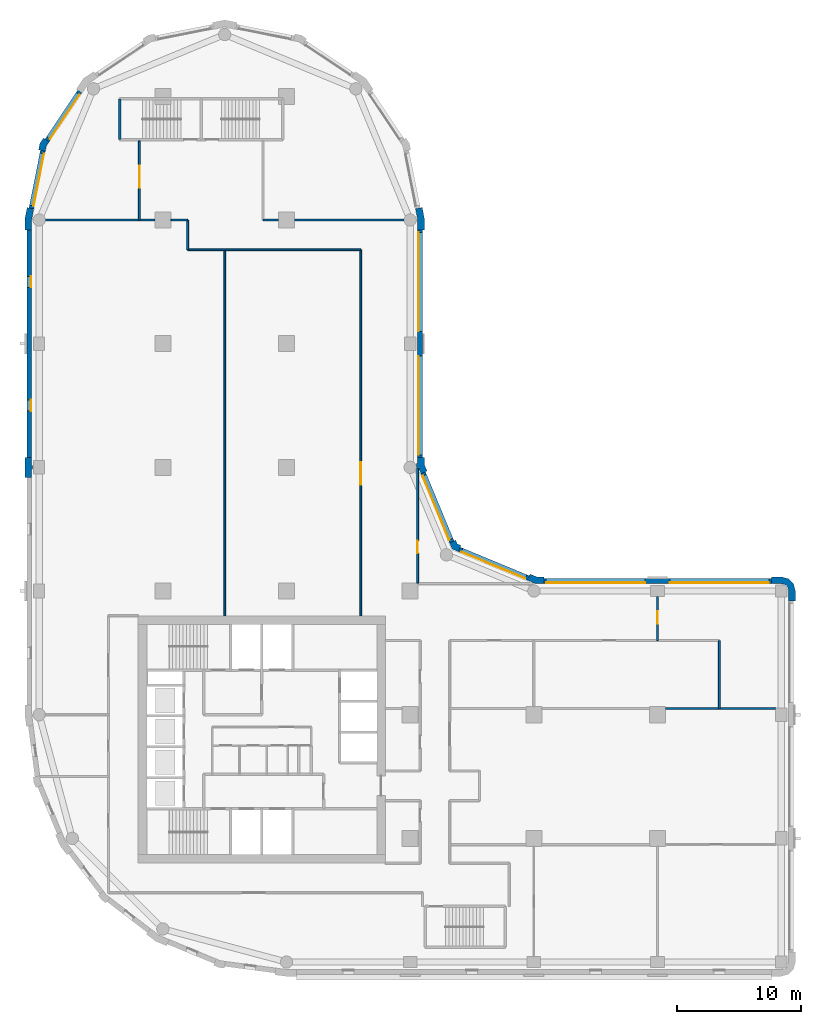
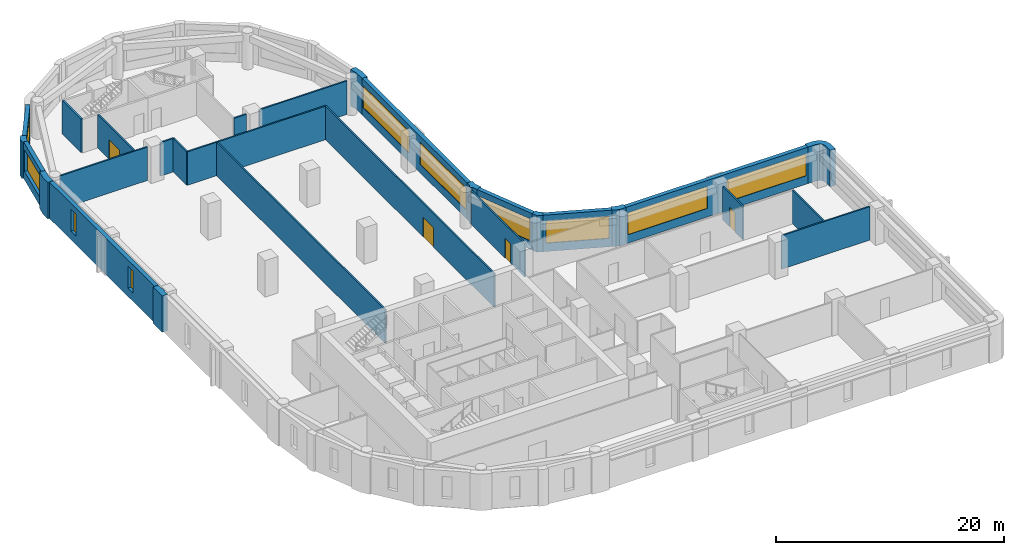
# One storey, part 5 of 9: 29 walls, 10 windows, 4 doors, 14 openings.
"""IFC4 building model written with IfcOpenShell, lengths in metres."""

from ifc_helpers import new_model, si_unit, direction, frame, frame_2d, origin, place, context, subcontext, project, spatial, polyline, rectangle, outline, extrude, material, layer, layer_set, type_object, element, fill, save


model = new_model("IFC4")

# Units and contexts
model_context = context("Model", 3, precision=1e-05, world=origin(), true_north=direction((0.0, 1.0)))
body_context = subcontext(model_context, "Body", "Model", "MODEL_VIEW")
ifc_project = project(units=[si_unit("LENGTHUNIT", "METRE"), si_unit("AREAUNIT", "SQUARE_METRE"), si_unit("VOLUMEUNIT", "CUBIC_METRE"), si_unit("PLANEANGLEUNIT", "RADIAN"), si_unit("MASSUNIT", "GRAM", prefix="KILO")], contexts=[model_context])

# Site, building, storey
site_placement = place(None, origin())
site = spatial("IfcSite", under=ifc_project, at=site_placement, CompositionType="ELEMENT")
building_placement = place(site_placement, origin())
building = spatial("IfcBuilding", under=site, at=building_placement, Name="Qaws Garden Tower", CompositionType="ELEMENT")
storey_placement = place(building_placement, frame((0.0, 0.0, 217.5)))
storey = spatial("IfcBuildingStorey", under=building, at=storey_placement, Name="L53", CompositionType="ELEMENT", Elevation=217.5)

# Wall
ifc_material_1 = material(Name="Clay facing brick masonry", Category="masonry")
ifc_layer_1 = layer(ifc_material_1, 0.550048828125)
ifc_layer_set_1 = layer_set([ifc_layer_1], Name="Clay facing brick masonry")
wall_type_1 = type_object("IfcWallType", Name="Brick corner pier 550 x 2400", PredefinedType="SOLIDWALL", material=ifc_layer_set_1)
placement = place(storey_placement, origin())
element("IfcWall", 1, at=placement, inside=storey, type_object=wall_type_1, Name="E-L53-pier-07", PredefinedType="SOLIDWALL", context=body_context, shape_type="SweptSolid", body=[
    extrude(outline(polyline([(61.0, 29.199951171875), (61.14990234375, 29.199951171875), (61.14990234375, 30.0), (60.995849609375, 30.574951171875), (60.574951171875, 30.995849609375), (60.0, 31.14990234375), (59.199951171875, 31.14990234375), (59.199951171875, 31.0), (59.199951171875, 30.60009765625), (60.0, 30.60009765625), (60.300048828125, 30.51953125), (60.51953125, 30.300048828125), (60.60009765625, 30.0), (60.60009765625, 29.199951171875), (61.0, 29.199951171875)])), origin(), (0.0, 0.0, 1.0), 3.89990234375),
])

# Wall, openings, windows
ifc_material_2 = material(Name="Clay facing brick masonry", Category="masonry")
ifc_layer_2 = layer(ifc_material_2, 0.39990234375)
ifc_layer_set_2 = layer_set([ifc_layer_2], Name="Clay facing brick masonry")
wall_type_2 = type_object("IfcWallType", Name="Brick infill wall 400", PredefinedType="SOLIDWALL", material=ifc_layer_set_2)
wall_2_placement = place(storey_placement, frame((59.199951171875, 30.800048828125, 0.0), z_axis=(0.0, 0.0, 1.0), x_axis=(-1.0, 0.0, 0.0)))
wall_2 = element("IfcWall", 2, at=wall_2_placement, inside=storey, type_object=wall_type_2, Name="E-L53-infill-07", PredefinedType="SOLIDWALL", context=body_context, shape_type="SweptSolid", body=[
    extrude(rectangle(XDim=18.39990234375, YDim=0.39990234375, at=frame_2d((9.199951171875, 0.0))), origin(), (0.0, 0.0, 1.0), 3.89990234375),
])
opening_1_placement = place(wall_2_placement, frame((0.199951171875, 0.0, 0.89990234375)))
opening_1 = element("IfcOpeningElement", 3, at=opening_1_placement, cuts=wall_2, Name="Opening W01", PredefinedType="OPENING", context=body_context, shape_type="SweptSolid", body=[
    extrude(rectangle(XDim=8.0, YDim=2.35009765625, at=frame_2d((4.0, 1.175048828125))), frame((0.0, 0.2099609375, 0.0), z_axis=(0.0, -1.0, 0.0), x_axis=(1.0, 0.0, 0.0)), (0.0, 0.0, 1.0), 0.419921875),
])
opening_2_placement = place(wall_2_placement, frame((10.199951171875, 0.0, 0.89990234375)))
opening_2 = element("IfcOpeningElement", 4, at=opening_2_placement, cuts=wall_2, Name="Opening W01", PredefinedType="OPENING", context=body_context, shape_type="SweptSolid", body=[
    extrude(rectangle(XDim=8.0, YDim=2.35009765625, at=frame_2d((4.0, 1.175048828125))), frame((0.0, 0.2099609375, 0.0), z_axis=(0.0, -1.0, 0.0), x_axis=(1.0, 0.0, 0.0)), (0.0, 0.0, 1.0), 0.419921875),
])
ifc_material_3 = material(Name="Aluminium framed window, clear glazing", Category="aluminium")
window_type_1 = type_object("IfcWindowType", Name="Ribbon window 8000 x 2350", PartitioningType="DOUBLE_PANEL_VERTICAL", PredefinedType="WINDOW", material=ifc_material_3)
window_1_placement = place(opening_1_placement, origin())
window_1 = element("IfcWindow", 5, at=window_1_placement, inside=storey, type_object=window_type_1, Name="E-L53-window-07-0", OverallHeight=2.35009765625, OverallWidth=8.0, PartitioningType="SINGLE_PANEL", PredefinedType="WINDOW", context=body_context, shape_type="SweptSolid", body=[
    extrude(rectangle(XDim=8.0, YDim=2.35009765625, at=frame_2d((4.0, 1.175048828125))), frame((0.0, 0.159912109375, 0.0), z_axis=(0.0, -1.0, 0.0), x_axis=(1.0, 0.0, 0.0)), (0.0, 0.0, 1.0), 0.06005859375),
])
fill(opening_1, window_1)
window_2_placement = place(opening_2_placement, origin())
window_2 = element("IfcWindow", 6, at=window_2_placement, inside=storey, type_object=window_type_1, Name="E-L53-window-08-0", OverallHeight=2.35009765625, OverallWidth=8.0, PartitioningType="SINGLE_PANEL", PredefinedType="WINDOW", context=body_context, shape_type="SweptSolid", body=[
    extrude(rectangle(XDim=8.0, YDim=2.35009765625, at=frame_2d((4.0, 1.175048828125))), frame((0.0, 0.159912109375, 0.0), z_axis=(0.0, -1.0, 0.0), x_axis=(1.0, 0.0, 0.0)), (0.0, 0.0, 1.0), 0.06005859375),
])
fill(opening_2, window_2)

# Wall, opening, window
wall_3_placement = place(storey_placement, frame((39.56689453125, 31.04541015625, 0.0), z_axis=(0.0, 0.0, 1.0), x_axis=(-0.923891000409, 0.382655745237, 0.0)))
wall_3 = element("IfcWall", 7, at=wall_3_placement, inside=storey, type_object=wall_type_2, Name="E-L53-infill-09", PredefinedType="SOLIDWALL", context=body_context, shape_type="SweptSolid", body=[
    extrude(rectangle(XDim=6.053466796875, YDim=0.39990234375, at=frame_2d((3.02685546875, 0.0))), origin(), (0.0, 0.0, 1.0), 3.89990234375),
])
opening_3_placement = place(wall_3_placement, frame((0.226806640625, 0.0, 0.89990234375)))
opening_3 = element("IfcOpeningElement", 8, at=opening_3_placement, cuts=wall_3, Name="Opening W04", PredefinedType="OPENING", context=body_context, shape_type="SweptSolid", body=[
    extrude(rectangle(XDim=5.60009765625, YDim=2.35009765625, at=frame_2d((2.800048828125, 1.175048828125))), frame((0.0, 0.2099609375, 0.0), z_axis=(0.0, -1.0, 0.0), x_axis=(1.0, 0.0, 0.0)), (0.0, 0.0, 1.0), 0.419921875),
])
ifc_material_4 = material(Name="Aluminium framed window, clear glazing", Category="aluminium")
window_type_2 = type_object("IfcWindowType", Name="Ribbon window 5600 x 2350", PartitioningType="DOUBLE_PANEL_VERTICAL", PredefinedType="WINDOW", material=ifc_material_4)
window_3_placement = place(opening_3_placement, origin())
window_3 = element("IfcWindow", 9, at=window_3_placement, inside=storey, type_object=window_type_2, Name="E-L53-window-09-0", OverallHeight=2.35009765625, OverallWidth=5.60009765625, PartitioningType="SINGLE_PANEL", PredefinedType="WINDOW", context=body_context, shape_type="SweptSolid", body=[
    extrude(rectangle(XDim=5.60009765625, YDim=2.35009765625, at=frame_2d((2.800048828125, 1.175048828125))), frame((0.0, 0.159912109375, 0.0), z_axis=(0.0, -1.0, 0.0), x_axis=(1.0, 0.0, 0.0)), (0.0, 0.0, 1.0), 0.06005859375),
])
fill(opening_3, window_3)

wall_4_placement = place(storey_placement, frame((33.36181640625, 33.97412109375, 0.0), z_axis=(0.0, 0.0, 1.0), x_axis=(-0.382655745237, 0.923891000409, 0.0)))
wall_4 = element("IfcWall", 10, at=wall_4_placement, inside=storey, type_object=wall_type_2, Name="E-L53-infill-10", PredefinedType="SOLIDWALL", context=body_context, shape_type="SweptSolid", body=[
    extrude(rectangle(XDim=6.053466796875, YDim=0.39990234375, at=frame_2d((3.02685546875, 0.0))), origin(), (0.0, 0.0, 1.0), 3.89990234375),
])
opening_4_placement = place(wall_4_placement, frame((0.226806640625, 0.0, 0.89990234375)))
opening_4 = element("IfcOpeningElement", 11, at=opening_4_placement, cuts=wall_4, Name="Opening W04", PredefinedType="OPENING", context=body_context, shape_type="SweptSolid", body=[
    extrude(rectangle(XDim=5.60009765625, YDim=2.35009765625, at=frame_2d((2.800048828125, 1.175048828125))), frame((0.0, 0.2099609375, 0.0), z_axis=(0.0, -1.0, 0.0), x_axis=(1.0, 0.0, 0.0)), (0.0, 0.0, 1.0), 0.419921875),
])
window_4_placement = place(opening_4_placement, origin())
window_4 = element("IfcWindow", 12, at=window_4_placement, inside=storey, type_object=window_type_2, Name="E-L53-window-10-0", OverallHeight=2.35009765625, OverallWidth=5.60009765625, PartitioningType="SINGLE_PANEL", PredefinedType="WINDOW", context=body_context, shape_type="SweptSolid", body=[
    extrude(rectangle(XDim=5.60009765625, YDim=2.35009765625, at=frame_2d((2.800048828125, 1.175048828125))), frame((0.0, 0.159912109375, 0.0), z_axis=(0.0, -1.0, 0.0), x_axis=(1.0, 0.0, 0.0)), (0.0, 0.0, 1.0), 0.06005859375),
])
fill(opening_4, window_4)

# Wall, openings, windows
wall_5_placement = place(storey_placement, frame((30.800048828125, 40.800048828125, 0.0), z_axis=(0.0, 0.0, 1.0), x_axis=(0.0, 1.0, 0.0)))
wall_5 = element("IfcWall", 13, at=wall_5_placement, inside=storey, type_object=wall_type_2, Name="E-L53-infill-11", PredefinedType="SOLIDWALL", context=body_context, shape_type="SweptSolid", body=[
    extrude(rectangle(XDim=18.39990234375, YDim=0.39990234375, at=frame_2d((9.199951171875, 0.0))), origin(), (0.0, 0.0, 1.0), 3.89990234375),
])
opening_5_placement = place(wall_5_placement, frame((0.199951171875, 0.0, 0.89990234375)))
opening_5 = element("IfcOpeningElement", 14, at=opening_5_placement, cuts=wall_5, Name="Opening W01", PredefinedType="OPENING", context=body_context, shape_type="SweptSolid", body=[
    extrude(rectangle(XDim=8.0, YDim=2.35009765625, at=frame_2d((4.0, 1.175048828125))), frame((0.0, 0.2099609375, 0.0), z_axis=(0.0, -1.0, 0.0), x_axis=(1.0, 0.0, 0.0)), (0.0, 0.0, 1.0), 0.419921875),
])
opening_6_placement = place(wall_5_placement, frame((10.199951171875, 0.0, 0.89990234375)))
opening_6 = element("IfcOpeningElement", 15, at=opening_6_placement, cuts=wall_5, Name="Opening W01", PredefinedType="OPENING", context=body_context, shape_type="SweptSolid", body=[
    extrude(rectangle(XDim=8.0, YDim=2.35009765625, at=frame_2d((4.0, 1.175048828125))), frame((0.0, 0.2099609375, 0.0), z_axis=(0.0, -1.0, 0.0), x_axis=(1.0, 0.0, 0.0)), (0.0, 0.0, 1.0), 0.419921875),
])
window_5_placement = place(opening_5_placement, origin())
window_5 = element("IfcWindow", 16, at=window_5_placement, inside=storey, type_object=window_type_1, Name="E-L53-window-11-0", OverallHeight=2.35009765625, OverallWidth=8.0, PartitioningType="SINGLE_PANEL", PredefinedType="WINDOW", context=body_context, shape_type="SweptSolid", body=[
    extrude(rectangle(XDim=8.0, YDim=2.35009765625, at=frame_2d((4.0, 1.175048828125))), frame((0.0, 0.159912109375, 0.0), z_axis=(0.0, -1.0, 0.0), x_axis=(1.0, 0.0, 0.0)), (0.0, 0.0, 1.0), 0.06005859375),
])
fill(opening_5, window_5)
window_6_placement = place(opening_6_placement, origin())
window_6 = element("IfcWindow", 17, at=window_6_placement, inside=storey, type_object=window_type_1, Name="E-L53-window-12-0", OverallHeight=2.35009765625, OverallWidth=8.0, PartitioningType="SINGLE_PANEL", PredefinedType="WINDOW", context=body_context, shape_type="SweptSolid", body=[
    extrude(rectangle(XDim=8.0, YDim=2.35009765625, at=frame_2d((4.0, 1.175048828125))), frame((0.0, 0.159912109375, 0.0), z_axis=(0.0, -1.0, 0.0), x_axis=(1.0, 0.0, 0.0)), (0.0, 0.0, 1.0), 0.06005859375),
])
fill(opening_6, window_6)

# Wall, opening, window
wall_6_placement = place(storey_placement, frame((3.28369140625, 70.385986328125, 0.0), z_axis=(0.0, 0.0, 1.0), x_axis=(-0.555541552266, -0.831488775454, 0.0)))
wall_6 = element("IfcWall", 18, at=wall_6_placement, inside=storey, type_object=wall_type_2, Name="E-L53-infill-19", PredefinedType="SOLIDWALL", context=body_context, shape_type="SweptSolid", body=[
    extrude(rectangle(XDim=4.752685546875, YDim=0.39990234375, at=frame_2d((2.37646484375, 0.0))), origin(), (0.0, 0.0, 1.0), 3.89990234375),
])
opening_7_placement = place(wall_6_placement, frame((0.226318359375, 0.0, 0.89990234375)))
opening_7 = element("IfcOpeningElement", 19, at=opening_7_placement, cuts=wall_6, Name="Opening W06", PredefinedType="OPENING", context=body_context, shape_type="SweptSolid", body=[
    extrude(rectangle(XDim=4.300048828125, YDim=2.35009765625, at=frame_2d((2.14990234375, 1.175048828125))), frame((0.0, 0.2099609375, 0.0), z_axis=(0.0, -1.0, 0.0), x_axis=(1.0, 0.0, 0.0)), (0.0, 0.0, 1.0), 0.419921875),
])
ifc_material_5 = material(Name="Aluminium framed window, clear glazing", Category="aluminium")
window_type_3 = type_object("IfcWindowType", Name="Ribbon window 4300 x 2350", PartitioningType="DOUBLE_PANEL_VERTICAL", PredefinedType="WINDOW", material=ifc_material_5)
window_7_placement = place(opening_7_placement, origin())
window_7 = element("IfcWindow", 20, at=window_7_placement, inside=storey, type_object=window_type_3, Name="E-L53-window-19-0", OverallHeight=2.35009765625, OverallWidth=4.300048828125, PartitioningType="SINGLE_PANEL", PredefinedType="WINDOW", context=body_context, shape_type="SweptSolid", body=[
    extrude(rectangle(XDim=4.300048828125, YDim=2.35009765625, at=frame_2d((2.14990234375, 1.175048828125))), frame((0.0, 0.159912109375, 0.0), z_axis=(0.0, -1.0, 0.0), x_axis=(1.0, 0.0, 0.0)), (0.0, 0.0, 1.0), 0.06005859375),
])
fill(opening_7, window_7)

wall_7_placement = place(storey_placement, frame((0.298583984375, 65.60205078125, 0.0), z_axis=(0.0, 0.0, 1.0), x_axis=(-0.195098533057, -0.98078364709, 0.0)))
wall_7 = element("IfcWall", 21, at=wall_7_placement, inside=storey, type_object=wall_type_2, Name="E-L53-infill-20", PredefinedType="SOLIDWALL", context=body_context, shape_type="SweptSolid", body=[
    extrude(rectangle(XDim=4.752685546875, YDim=0.39990234375, at=frame_2d((2.37646484375, 0.0))), origin(), (0.0, 0.0, 1.0), 3.89990234375),
])
opening_8_placement = place(wall_7_placement, frame((0.226318359375, 0.0, 0.89990234375)))
opening_8 = element("IfcOpeningElement", 22, at=opening_8_placement, cuts=wall_7, Name="Opening W06", PredefinedType="OPENING", context=body_context, shape_type="SweptSolid", body=[
    extrude(rectangle(XDim=4.300048828125, YDim=2.35009765625, at=frame_2d((2.14990234375, 1.175048828125))), frame((0.0, 0.2099609375, 0.0), z_axis=(0.0, -1.0, 0.0), x_axis=(1.0, 0.0, 0.0)), (0.0, 0.0, 1.0), 0.419921875),
])
window_8_placement = place(opening_8_placement, origin())
window_8 = element("IfcWindow", 23, at=window_8_placement, inside=storey, type_object=window_type_3, Name="E-L53-window-20-0", OverallHeight=2.35009765625, OverallWidth=4.300048828125, PartitioningType="SINGLE_PANEL", PredefinedType="WINDOW", context=body_context, shape_type="SweptSolid", body=[
    extrude(rectangle(XDim=4.300048828125, YDim=2.35009765625, at=frame_2d((2.14990234375, 1.175048828125))), frame((0.0, 0.159912109375, 0.0), z_axis=(0.0, -1.0, 0.0), x_axis=(1.0, 0.0, 0.0)), (0.0, 0.0, 1.0), 0.06005859375),
])
fill(opening_8, window_8)

# Wall, openings, windows
wall_8_placement = place(storey_placement, frame((-0.800048828125, 59.199951171875, 0.0), z_axis=(0.0, 0.0, 1.0), x_axis=(0.0, -1.0, 0.0)))
wall_8 = element("IfcWall", 24, at=wall_8_placement, inside=storey, type_object=wall_type_2, Name="E-L53-infill-21", PredefinedType="SOLIDWALL", context=body_context, shape_type="SweptSolid", body=[
    extrude(rectangle(XDim=18.39990234375, YDim=0.39990234375, at=frame_2d((9.199951171875, 0.0))), origin(), (0.0, 0.0, 1.0), 3.89990234375),
])
opening_9_placement = place(wall_8_placement, frame((3.75, 0.0, 0.89990234375)))
opening_9 = element("IfcOpeningElement", 25, at=opening_9_placement, cuts=wall_8, Name="Opening W09", PredefinedType="OPENING", context=body_context, shape_type="SweptSolid", body=[
    extrude(rectangle(XDim=0.89990234375, YDim=2.35009765625, at=frame_2d((0.449951171875, 1.175048828125))), frame((0.0, 0.2099609375, 0.0), z_axis=(0.0, -1.0, 0.0), x_axis=(1.0, 0.0, 0.0)), (0.0, 0.0, 1.0), 0.419921875),
])
opening_10_placement = place(wall_8_placement, frame((13.75, 0.0, 0.89990234375)))
opening_10 = element("IfcOpeningElement", 26, at=opening_10_placement, cuts=wall_8, Name="Opening W09", PredefinedType="OPENING", context=body_context, shape_type="SweptSolid", body=[
    extrude(rectangle(XDim=0.89990234375, YDim=2.35009765625, at=frame_2d((0.449951171875, 1.175048828125))), frame((0.0, 0.2099609375, 0.0), z_axis=(0.0, -1.0, 0.0), x_axis=(1.0, 0.0, 0.0)), (0.0, 0.0, 1.0), 0.419921875),
])
ifc_material_6 = material(Name="Aluminium framed window, clear glazing", Category="aluminium")
window_type_4 = type_object("IfcWindowType", Name="Slit window 900 x 2350", PartitioningType="SINGLE_PANEL", PredefinedType="WINDOW", material=ifc_material_6)
window_9_placement = place(opening_9_placement, origin())
window_9 = element("IfcWindow", 27, at=window_9_placement, inside=storey, type_object=window_type_4, Name="E-L53-window-21-0", OverallHeight=2.35009765625, OverallWidth=0.89990234375, PartitioningType="SINGLE_PANEL", PredefinedType="WINDOW", context=body_context, shape_type="SweptSolid", body=[
    extrude(rectangle(XDim=0.89990234375, YDim=2.35009765625, at=frame_2d((0.449951171875, 1.175048828125))), frame((0.0, 0.159912109375, 0.0), z_axis=(0.0, -1.0, 0.0), x_axis=(1.0, 0.0, 0.0)), (0.0, 0.0, 1.0), 0.06005859375),
])
fill(opening_9, window_9)
window_10_placement = place(opening_10_placement, origin())
window_10 = element("IfcWindow", 28, at=window_10_placement, inside=storey, type_object=window_type_4, Name="E-L53-window-22-0", OverallHeight=2.35009765625, OverallWidth=0.89990234375, PartitioningType="SINGLE_PANEL", PredefinedType="WINDOW", context=body_context, shape_type="SweptSolid", body=[
    extrude(rectangle(XDim=0.89990234375, YDim=2.35009765625, at=frame_2d((0.449951171875, 1.175048828125))), frame((0.0, 0.159912109375, 0.0), z_axis=(0.0, -1.0, 0.0), x_axis=(1.0, 0.0, 0.0)), (0.0, 0.0, 1.0), 0.06005859375),
])
fill(opening_10, window_10)

# Walls
ifc_material_7 = material(Name="Clay facing brick masonry", Category="masonry")
ifc_layer_3 = layer(ifc_material_7, 0.550048828125)
ifc_layer_set_3 = layer_set([ifc_layer_3], Name="Clay facing brick masonry")
wall_type_3 = type_object("IfcWallType", Name="Brick kink pier 550 x 600", PredefinedType="SOLIDWALL", material=ifc_layer_set_3)
element("IfcWall", 29, at=placement, inside=storey, type_object=wall_type_3, Name="E-L53-pier-20", PredefinedType="SOLIDWALL", context=body_context, shape_type="SweptSolid", body=[
    extrude(outline(polyline([(0.47705078125, 66.545166015625), (0.352294921875, 66.628662109375), (0.05859375, 66.18896484375), (-0.044677734375, 65.67041015625), (0.1025390625, 65.64111328125), (0.494873046875, 65.56298828125), (0.57666015625, 65.974365234375), (0.8095703125, 66.322998046875), (0.47705078125, 66.545166015625)])), origin(), (0.0, 0.0, 1.0), 3.89990234375),
])
ifc_material_8 = material(Name="Clay facing brick masonry", Category="masonry")
ifc_layer_4 = layer(ifc_material_8, 0.550048828125)
ifc_layer_set_4 = layer_set([ifc_layer_4], Name="Clay facing brick masonry")
wall_type_4 = type_object("IfcWallType", Name="Brick pier 550 x 1600", PredefinedType="SOLIDWALL", material=ifc_layer_set_4)
element("IfcWall", 30, at=placement, inside=storey, type_object=wall_type_4, Name="E-L53-pier-09", PredefinedType="SOLIDWALL", context=body_context, shape_type="SweptSolid", body=[
    extrude(outline(polyline([(40.800048828125, 31.0), (40.800048828125, 31.14990234375), (40.228759765625, 31.14990234375), (39.700927734375, 31.36865234375), (39.6435546875, 31.22998046875), (39.490478515625, 30.860595703125), (40.119384765625, 30.60009765625), (40.800048828125, 30.60009765625), (40.800048828125, 31.0)])), origin(), (0.0, 0.0, 1.0), 3.89990234375),
])
element("IfcWall", 31, at=placement, inside=storey, type_object=wall_type_4, Name="E-L53-pier-10", PredefinedType="SOLIDWALL", context=body_context, shape_type="SweptSolid", body=[
    extrude(outline(polyline([(34.05078125, 33.546630859375), (34.108154296875, 33.685302734375), (33.80908203125, 33.80908203125), (33.685302734375, 34.108154296875), (33.546630859375, 34.05078125), (33.177001953125, 33.897705078125), (33.38818359375, 33.38818359375), (33.897705078125, 33.177001953125), (34.05078125, 33.546630859375)])), origin(), (0.0, 0.0, 1.0), 3.89990234375),
])
element("IfcWall", 32, at=placement, inside=storey, type_object=wall_type_4, Name="E-L53-pier-11", PredefinedType="SOLIDWALL", context=body_context, shape_type="SweptSolid", body=[
    extrude(outline(polyline([(30.6201171875, 39.995361328125), (30.6201171875, 40.071044921875), (30.860595703125, 39.490478515625), (31.22998046875, 39.6435546875), (31.36865234375, 39.700927734375), (31.14990234375, 40.228759765625), (31.14990234375, 40.800048828125), (31.0, 40.800048828125), (30.60009765625, 40.800048828125), (30.60009765625, 40.29541015625), (30.5, 40.29541015625), (30.5, 39.995361328125), (30.6201171875, 39.995361328125)])), origin(), (0.0, 0.0, 1.0), 3.89990234375),
])
element("IfcWall", 33, at=placement, inside=storey, type_object=wall_type_4, Name="E-L53-pier-13", PredefinedType="SOLIDWALL", context=body_context, shape_type="SweptSolid", body=[
    extrude(outline(polyline([(31.0, 59.199951171875), (31.14990234375, 59.199951171875), (31.14990234375, 60.11328125), (30.971923828125, 61.009033203125), (30.82470703125, 60.979736328125), (30.432373046875, 60.901611328125), (30.60009765625, 60.05908203125), (30.60009765625, 59.199951171875), (31.0, 59.199951171875)])), origin(), (0.0, 0.0, 1.0), 3.89990234375),
])
element("IfcWall", 34, at=placement, inside=storey, type_object=wall_type_4, Name="E-L53-pier-21", PredefinedType="SOLIDWALL", context=body_context, shape_type="SweptSolid", body=[
    extrude(outline(polyline([(-0.82470703125, 60.979736328125), (-0.971923828125, 61.009033203125), (-1.14990234375, 60.11328125), (-1.14990234375, 59.199951171875), (-1.0, 59.199951171875), (-0.60009765625, 59.199951171875), (-0.60009765625, 60.05908203125), (-0.432373046875, 60.901611328125), (-0.82470703125, 60.979736328125)])), origin(), (0.0, 0.0, 1.0), 3.89990234375),
])
element("IfcWall", 35, at=placement, inside=storey, type_object=wall_type_4, Name="E-L53-pier-23", PredefinedType="SOLIDWALL", context=body_context, shape_type="SweptSolid", body=[
    extrude(outline(polyline([(-0.60009765625, 39.199951171875), (-0.60009765625, 39.85009765625), (-0.550048828125, 39.85009765625), (-0.550048828125, 40.14990234375), (-0.60009765625, 40.14990234375), (-0.60009765625, 40.800048828125), (-1.0, 40.800048828125), (-1.14990234375, 40.800048828125), (-1.14990234375, 40.0), (-1.14990234375, 39.199951171875), (-1.0, 39.199951171875), (-0.60009765625, 39.199951171875)])), origin(), (0.0, 0.0, 1.0), 3.89990234375),
])
ifc_material_9 = material(Name="Concrete C70", Category="concrete")
ifc_layer_5 = layer(ifc_material_9, 0.199951171875)
ifc_layer_set_5 = layer_set([ifc_layer_5], Name="Concrete C70")
wall_type_5 = type_object("IfcWallType", Name="Core shaft wall 200 C70", PredefinedType="SHEAR", material=ifc_layer_set_5)
wall_16_placement = place(storey_placement, frame((6.5, 66.5, 0.0), z_axis=(0.0, 0.0, 1.0), x_axis=(0.0, 1.0, 0.0)))
element("IfcWall", 36, at=wall_16_placement, inside=storey, type_object=wall_type_5, Name="Shaft wall", PredefinedType="SHEAR", context=body_context, shape_type="SweptSolid", body=[
    extrude(rectangle(XDim=3.300048828125, YDim=0.199951171875, at=frame_2d((1.64990234375, 0.0))), origin(), (0.0, 0.0, 1.0), 3.580078125),
])

# Wall, opening, door
ifc_material_10 = material(Name="Gypsum board partition")
ifc_layer_6 = layer(ifc_material_10, 0.14990234375)
ifc_layer_set_6 = layer_set([ifc_layer_6], Name="Gypsum board partition")
wall_type_6 = type_object("IfcWallType", Name="PARTITION 150 EI 60", PredefinedType="PARTITIONING", material=ifc_layer_set_6)
wall_17_placement = place(storey_placement, frame((8.10009765625, 60.0, 0.0), z_axis=(0.0, 0.0, 1.0), x_axis=(0.0, 1.0, 0.0)))
wall_17 = element("IfcWall", 37, at=wall_17_placement, inside=storey, type_object=wall_type_6, Name="O-L53-wall-004", PredefinedType="PARTITIONING", context=body_context, shape_type="SweptSolid", body=[
    extrude(rectangle(XDim=6.39990234375, YDim=0.14990234375, at=frame_2d((3.199951171875, 0.0))), origin(), (0.0, 0.0, 1.0), 3.580078125),
])
opening_11_placement = place(wall_17_placement, frame((2.60009765625, 0.0, 0.0)))
opening_11 = element("IfcOpeningElement", 38, at=opening_11_placement, cuts=wall_17, Name="Opening B805", PredefinedType="OPENING", context=body_context, shape_type="SweptSolid", body=[
    extrude(rectangle(XDim=1.800048828125, YDim=2.10009765625, at=frame_2d((0.89990234375, 1.050048828125))), frame((0.0, 0.0849609375, 0.0), z_axis=(0.0, -1.0, 0.0), x_axis=(1.0, 0.0, 0.0)), (0.0, 0.0, 1.0), 0.169921875),
])
ifc_material_11 = material(Name="Timber door leaf", Category="wood")
door_type_1 = type_object("IfcDoorType", Name="DOUBLE DOOR 1800 X 2100", OperationType="DOUBLE_DOOR_SINGLE_SWING", PredefinedType="DOOR", material=ifc_material_11)
door_1_placement = place(opening_11_placement, origin())
door_1 = element("IfcDoor", 39, at=door_1_placement, inside=storey, type_object=door_type_1, Name="O-L53-door-005", OperationType="DOUBLE_DOOR_SINGLE_SWING", OverallHeight=2.10009765625, OverallWidth=1.800048828125, PredefinedType="DOOR", context=body_context, shape_type="SweptSolid", body=[
    extrude(rectangle(XDim=1.800048828125, YDim=2.10009765625, at=frame_2d((0.89990234375, 1.050048828125))), frame((0.0, 0.02490234375, 0.0), z_axis=(0.0, -1.0, 0.0), x_axis=(1.0, 0.0, 0.0)), (0.0, 0.0, 1.0), 0.050048828125),
])
fill(opening_11, door_1)

# Walls
wall_18_placement = place(storey_placement, frame((12.0, 57.60009765625, 0.0), z_axis=(0.0, 0.0, 1.0), x_axis=(0.0, 1.0, 0.0)))
element("IfcWall", 40, at=wall_18_placement, inside=storey, type_object=wall_type_6, Name="O-L53-wall-005", PredefinedType="PARTITIONING", context=body_context, shape_type="SweptSolid", body=[
    extrude(rectangle(XDim=2.39990234375, YDim=0.14990234375, at=frame_2d((1.199951171875, 0.0))), origin(), (0.0, 0.0, 1.0), 3.580078125),
])
wall_19_placement = place(storey_placement, frame((15.0, 28.0, 0.0), z_axis=(0.0, 0.0, 1.0), x_axis=(0.0, 1.0, 0.0)))
element("IfcWall", 41, at=wall_19_placement, inside=storey, type_object=wall_type_6, Name="O-L53-wall-006", PredefinedType="PARTITIONING", context=body_context, shape_type="SweptSolid", body=[
    extrude(rectangle(XDim=29.60009765625, YDim=0.14990234375, at=frame_2d((14.800048828125, 0.0))), origin(), (0.0, 0.0, 1.0), 3.580078125),
])

# Wall, opening, door
wall_20_placement = place(storey_placement, frame((26.0, 28.0, 0.0), z_axis=(0.0, 0.0, 1.0), x_axis=(0.0, 1.0, 0.0)))
wall_20 = element("IfcWall", 42, at=wall_20_placement, inside=storey, type_object=wall_type_6, Name="O-L53-wall-008", PredefinedType="PARTITIONING", context=body_context, shape_type="SweptSolid", body=[
    extrude(rectangle(XDim=29.60009765625, YDim=0.14990234375, at=frame_2d((14.800048828125, 0.0))), origin(), (0.0, 0.0, 1.0), 3.580078125),
])
opening_12_placement = place(wall_20_placement, frame((10.60009765625, 0.0, 0.0)))
opening_12 = element("IfcOpeningElement", 43, at=opening_12_placement, cuts=wall_20, Name="Opening B803", PredefinedType="OPENING", context=body_context, shape_type="SweptSolid", body=[
    extrude(rectangle(XDim=1.800048828125, YDim=2.10009765625, at=frame_2d((0.89990234375, 1.050048828125))), frame((0.0, 0.0849609375, 0.0), z_axis=(0.0, -1.0, 0.0), x_axis=(1.0, 0.0, 0.0)), (0.0, 0.0, 1.0), 0.169921875),
])
door_2_placement = place(opening_12_placement, origin())
door_2 = element("IfcDoor", 44, at=door_2_placement, inside=storey, type_object=door_type_1, Name="O-L53-door-003", OperationType="DOUBLE_DOOR_SINGLE_SWING", OverallHeight=2.10009765625, OverallWidth=1.800048828125, PredefinedType="DOOR", context=body_context, shape_type="SweptSolid", body=[
    extrude(rectangle(XDim=1.800048828125, YDim=2.10009765625, at=frame_2d((0.89990234375, 1.050048828125))), frame((0.0, 0.02490234375, 0.0), z_axis=(0.0, -1.0, 0.0), x_axis=(1.0, 0.0, 0.0)), (0.0, 0.0, 1.0), 0.050048828125),
])
fill(opening_12, door_2)

wall_21_placement = place(storey_placement, frame((30.60009765625, 30.64990234375, 0.0), z_axis=(0.0, 0.0, 1.0), x_axis=(0.0, 1.0, 0.0)))
wall_21 = element("IfcWall", 45, at=wall_21_placement, inside=storey, type_object=wall_type_6, Name="O-L53-wall-009", PredefinedType="PARTITIONING", context=body_context, shape_type="SweptSolid", body=[
    extrude(rectangle(XDim=9.288330078125, YDim=0.14990234375, at=frame_2d((4.64404296875, 0.0))), origin(), (0.0, 0.0, 1.0), 3.580078125),
])
opening_13_placement = place(wall_21_placement, frame((2.39990234375, 0.0, 0.0)))
opening_13 = element("IfcOpeningElement", 46, at=opening_13_placement, cuts=wall_21, Name="Opening B807", PredefinedType="OPENING", context=body_context, shape_type="SweptSolid", body=[
    extrude(rectangle(XDim=1.0, YDim=2.10009765625, at=frame_2d((0.5, 1.050048828125))), frame((0.0, 0.0849609375, 0.0), z_axis=(0.0, -1.0, 0.0), x_axis=(1.0, 0.0, 0.0)), (0.0, 0.0, 1.0), 0.169921875),
])
ifc_material_12 = material(Name="Timber door leaf", Category="wood")
door_type_2 = type_object("IfcDoorType", Name="TENANCY ENTRANCE DOOR 1000 X 2100", OperationType="SINGLE_SWING_LEFT", PredefinedType="DOOR", material=ifc_material_12)
door_3_placement = place(opening_13_placement, frame((1.0, 0.0, 0.0), z_axis=(0.0, 0.0, 1.0), x_axis=(-1.0, 0.0, 0.0)))
door_3 = element("IfcDoor", 47, at=door_3_placement, inside=storey, type_object=door_type_2, Name="O-L53-door-007", OperationType="SINGLE_SWING_LEFT", OverallHeight=2.10009765625, OverallWidth=1.0, PredefinedType="DOOR", context=body_context, shape_type="SweptSolid", body=[
    extrude(rectangle(XDim=1.0, YDim=2.10009765625, at=frame_2d((0.5, 1.050048828125))), frame((0.0, 0.02490234375, 0.0), z_axis=(0.0, -1.0, 0.0), x_axis=(1.0, 0.0, 0.0)), (0.0, 0.0, 1.0), 0.050048828125),
])
fill(opening_13, door_3)

wall_22_placement = place(storey_placement, frame((50.0, 26.0, 0.0), z_axis=(0.0, 0.0, 1.0), x_axis=(0.0, 1.0, 0.0)))
wall_22 = element("IfcWall", 48, at=wall_22_placement, inside=storey, type_object=wall_type_6, Name="O-L53-wall-019", PredefinedType="PARTITIONING", context=body_context, shape_type="SweptSolid", body=[
    extrude(rectangle(XDim=3.550048828125, YDim=0.14990234375, at=frame_2d((1.77490234375, 0.0))), origin(), (0.0, 0.0, 1.0), 3.580078125),
])
opening_14_placement = place(wall_22_placement, frame((1.35009765625, 0.0, 0.0)))
opening_14 = element("IfcOpeningElement", 49, at=opening_14_placement, cuts=wall_22, Name="Opening B806", PredefinedType="OPENING", context=body_context, shape_type="SweptSolid", body=[
    extrude(rectangle(XDim=1.0, YDim=2.10009765625, at=frame_2d((0.5, 1.050048828125))), frame((0.0, 0.0849609375, 0.0), z_axis=(0.0, -1.0, 0.0), x_axis=(1.0, 0.0, 0.0)), (0.0, 0.0, 1.0), 0.169921875),
])
door_4_placement = place(opening_14_placement, frame((1.0, 0.0, 0.0), z_axis=(0.0, 0.0, 1.0), x_axis=(-1.0, 0.0, 0.0)))
door_4 = element("IfcDoor", 50, at=door_4_placement, inside=storey, type_object=door_type_2, Name="O-L53-door-006", OperationType="SINGLE_SWING_LEFT", OverallHeight=2.10009765625, OverallWidth=1.0, PredefinedType="DOOR", context=body_context, shape_type="SweptSolid", body=[
    extrude(rectangle(XDim=1.0, YDim=2.10009765625, at=frame_2d((0.5, 1.050048828125))), frame((0.0, 0.02490234375, 0.0), z_axis=(0.0, -1.0, 0.0), x_axis=(1.0, 0.0, 0.0)), (0.0, 0.0, 1.0), 0.050048828125),
])
fill(opening_14, door_4)

# Walls
wall_23_placement = place(storey_placement, frame((55.0, 20.5, 0.0), z_axis=(0.0, 0.0, 1.0), x_axis=(0.0, 1.0, 0.0)))
element("IfcWall", 51, at=wall_23_placement, inside=storey, type_object=wall_type_6, Name="O-L53-wall-020", PredefinedType="PARTITIONING", context=body_context, shape_type="SweptSolid", body=[
    extrude(rectangle(XDim=5.5, YDim=0.14990234375, at=frame_2d((2.75, 0.0))), origin(), (0.0, 0.0, 1.0), 3.580078125),
])
wall_24_placement = place(storey_placement, frame((50.64990234375, 20.5, 0.0), z_axis=(0.0, 0.0, 1.0), x_axis=(1.0, 0.0, 0.0)))
element("IfcWall", 52, at=wall_24_placement, inside=storey, type_object=wall_type_6, Name="O-L53-wall-035", PredefinedType="PARTITIONING", context=body_context, shape_type="SweptSolid", body=[
    extrude(rectangle(XDim=8.900146484375, YDim=0.14990234375, at=frame_2d((4.4501953125, 0.0))), origin(), (0.0, 0.0, 1.0), 3.580078125),
])
wall_25_placement = place(storey_placement, frame((12.0, 57.60009765625, 0.0), z_axis=(0.0, 0.0, 1.0), x_axis=(1.0, 0.0, 0.0)))
element("IfcWall", 53, at=wall_25_placement, inside=storey, type_object=wall_type_6, Name="O-L53-wall-040", PredefinedType="PARTITIONING", context=body_context, shape_type="SweptSolid", body=[
    extrude(rectangle(XDim=14.0, YDim=0.14990234375, at=frame_2d((7.0, 0.0))), origin(), (0.0, 0.0, 1.0), 3.580078125),
])
wall_26_placement = place(storey_placement, frame((0.5, 60.0, 0.0), z_axis=(0.0, 0.0, 1.0), x_axis=(1.0, 0.0, 0.0)))
element("IfcWall", 54, at=wall_26_placement, inside=storey, type_object=wall_type_6, Name="O-L53-wall-041", PredefinedType="PARTITIONING", context=body_context, shape_type="SweptSolid", body=[
    extrude(rectangle(XDim=8.85009765625, YDim=0.14990234375, at=frame_2d((4.425048828125, 0.0))), origin(), (0.0, 0.0, 1.0), 3.580078125),
])
wall_27_placement = place(storey_placement, frame((10.64990234375, 60.0, 0.0), z_axis=(0.0, 0.0, 1.0), x_axis=(1.0, 0.0, 0.0)))
element("IfcWall", 55, at=wall_27_placement, inside=storey, type_object=wall_type_6, Name="O-L53-wall-042", PredefinedType="PARTITIONING", context=body_context, shape_type="SweptSolid", body=[
    extrude(rectangle(XDim=1.35009765625, YDim=0.14990234375, at=frame_2d((0.675048828125, 0.0))), origin(), (0.0, 0.0, 1.0), 3.580078125),
])
wall_28_placement = place(storey_placement, frame((18.10009765625, 60.0, 0.0), z_axis=(0.0, 0.0, 1.0), x_axis=(1.0, 0.0, 0.0)))
element("IfcWall", 56, at=wall_28_placement, inside=storey, type_object=wall_type_6, Name="O-L53-wall-043", PredefinedType="PARTITIONING", context=body_context, shape_type="SweptSolid", body=[
    extrude(rectangle(XDim=1.25, YDim=0.14990234375, at=frame_2d((0.625, 0.0))), origin(), (0.0, 0.0, 1.0), 3.580078125),
])
wall_29_placement = place(storey_placement, frame((20.64990234375, 60.0, 0.0), z_axis=(0.0, 0.0, 1.0), x_axis=(1.0, 0.0, 0.0)))
element("IfcWall", 57, at=wall_29_placement, inside=storey, type_object=wall_type_6, Name="O-L53-wall-044", PredefinedType="PARTITIONING", context=body_context, shape_type="SweptSolid", body=[
    extrude(rectangle(XDim=8.85009765625, YDim=0.14990234375, at=frame_2d((4.425048828125, 0.0))), origin(), (0.0, 0.0, 1.0), 3.580078125),
])

save(model, "model.ifc")
